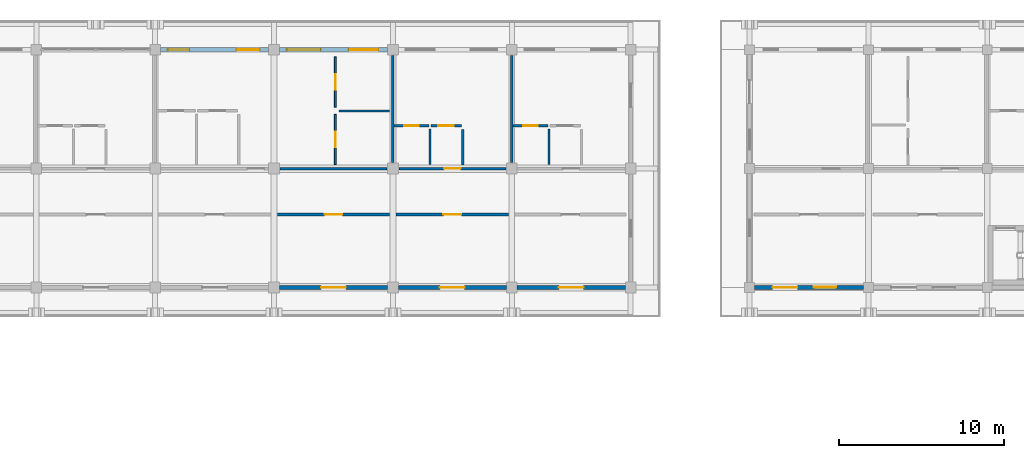
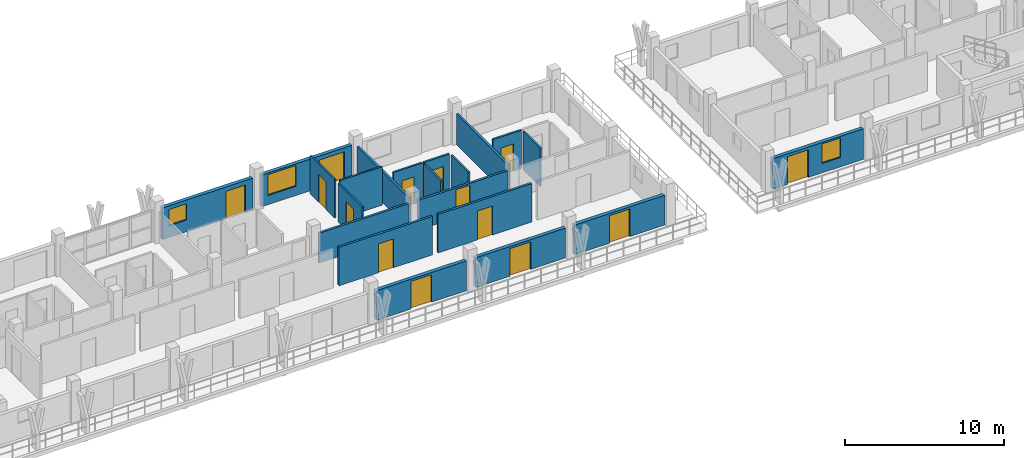
# One storey, part 50 of 78: 21 walls, 14 doors, 3 windows, 17 openings.
"""IFC4 building model written with IfcOpenShell, lengths in metres."""

from ifc_helpers import new_model, si_unit, direction, frame, frame_2d, origin, place, context, subcontext, project, spatial, rectangle, extrude, material, layer, layer_set, type_object, element, fill, save


model = new_model("IFC4")

# Units and contexts
model_context = context("Model", 3, precision=1e-05, world=origin(), true_north=direction((0.0, 1.0)))
body_context = subcontext(model_context, "Body", "Model", "MODEL_VIEW")
ifc_project = project(units=[si_unit("LENGTHUNIT", "METRE"), si_unit("AREAUNIT", "SQUARE_METRE"), si_unit("VOLUMEUNIT", "CUBIC_METRE"), si_unit("PLANEANGLEUNIT", "RADIAN"), si_unit("MASSUNIT", "GRAM", prefix="KILO")], contexts=[model_context])

# Site, building, storey
site_placement = place(None, origin())
site = spatial("IfcSite", under=ifc_project, at=site_placement, CompositionType="ELEMENT")
building_placement = place(site_placement, origin())
building = spatial("IfcBuilding", under=site, at=building_placement, Name="Suanplinth Sawtooth Commons", CompositionType="ELEMENT")
storey_placement = place(building_placement, frame((0.0, 0.0, 15.39990234375)))
storey = spatial("IfcBuildingStorey", under=building, at=storey_placement, Name="L04", CompositionType="ELEMENT", Elevation=15.39990234375)

# Wall, openings, door, window
ifc_material_1 = material(Name="Precast concrete C40/50", Category="concrete")
ifc_layer_1 = layer(ifc_material_1, 0.260009765625, Name="Insulated precast courtyard facade wall 260mm")
ifc_layer_set_1 = layer_set([ifc_layer_1], Name="Precast concrete C40/50")
wall_type_1 = type_object("IfcWallType", Name="W-EX02", PredefinedType="ELEMENTEDWALL", material=ifc_layer_set_1)
wall_1_placement = place(storey_placement, frame((86.72509765625, 122.39990234375, 0.0), z_axis=(0.0, 0.0, 1.0), x_axis=(1.0, 0.0, 0.0)))
wall_1 = element("IfcWall", 1, at=wall_1_placement, inside=storey, type_object=wall_type_1, Name="Facade Wall W-L04-A-N-12", PredefinedType="ELEMENTEDWALL", context=body_context, shape_type="SweptSolid", body=[
    extrude(rectangle(XDim=6.5498046875, YDim=0.260009765625, at=frame_2d((3.27490234375, 0.0))), origin(), (0.0, 0.0, 1.0), 2.43017578125),
])
opening_1_placement = place(wall_1_placement, frame((4.60009765625, 0.0, 0.0)))
opening_1 = element("IfcOpeningElement", 2, at=opening_1_placement, cuts=wall_1, Name="Opening ED0325", PredefinedType="OPENING", context=body_context, shape_type="SweptSolid", body=[
    extrude(rectangle(XDim=1.39990234375, YDim=2.10009765625, at=frame_2d((0.699951171875, 1.050048828125))), frame((0.0, 0.14501953125, 0.0), z_axis=(0.0, -1.0, 0.0), x_axis=(1.0, 0.0, 0.0)), (0.0, 0.0, 1.0), 0.289794921875),
])
opening_2_placement = place(wall_1_placement, frame((0.449951171875, 0.0, 0.89990234375)))
opening_2 = element("IfcOpeningElement", 3, at=opening_2_placement, cuts=wall_1, Name="Opening W0426", PredefinedType="OPENING", context=body_context, shape_type="SweptSolid", body=[
    extrude(rectangle(XDim=1.300048828125, YDim=1.25, at=frame_2d((0.64990234375, 0.625))), frame((0.0, 0.14501953125, 0.0), z_axis=(0.0, -1.0, 0.0), x_axis=(1.0, 0.0, 0.0)), (0.0, 0.0, 1.0), 0.289794921875),
])
ifc_material_2 = material(Name="Anodized aluminium and low-E glass", Category="aluminium")
door_type_1 = type_object("IfcDoorType", Name="SD-07", OperationType="SLIDING_TO_RIGHT", PredefinedType="DOOR", material=ifc_material_2)
door_1_placement = place(opening_1_placement, frame((1.39990234375, 0.0, 0.0), z_axis=(0.0, 0.0, 1.0), x_axis=(-1.0, 0.0, 0.0)))
door_1 = element("IfcDoor", 4, at=door_1_placement, inside=storey, type_object=door_type_1, Name="Balcony Sliding Door L04-A-N-12", OperationType="SLIDING_TO_RIGHT", OverallHeight=2.10009765625, OverallWidth=1.39990234375, PredefinedType="DOOR", context=body_context, shape_type="SweptSolid", body=[
    extrude(rectangle(XDim=1.39990234375, YDim=2.10009765625, at=frame_2d((0.699951171875, 1.050048828125))), frame((0.0, 0.02490234375, 0.0), z_axis=(0.0, -1.0, 0.0), x_axis=(1.0, 0.0, 0.0)), (0.0, 0.0, 1.0), 0.050048828125),
])
fill(opening_1, door_1)
ifc_material_3 = material(Name="Thermally broken aluminium and low-E double glazing", Category="aluminium")
window_type_1 = type_object("IfcWindowType", Name="WN-24", PartitioningType="SINGLE_PANEL", PredefinedType="WINDOW", material=ifc_material_3)
window_1_placement = place(opening_2_placement, origin())
window_1 = element("IfcWindow", 5, at=window_1_placement, inside=storey, type_object=window_type_1, Name="Window L04-A-N-12", OverallHeight=1.25, OverallWidth=1.300048828125, PartitioningType="SINGLE_PANEL", PredefinedType="WINDOW", context=body_context, shape_type="SweptSolid", body=[
    extrude(rectangle(XDim=1.300048828125, YDim=1.25, at=frame_2d((0.64990234375, 0.625))), frame((0.0, 0.030029296875, 0.0), z_axis=(0.0, -1.0, 0.0), x_axis=(1.0, 0.0, 0.0)), (0.0, 0.0, 1.0), 0.06005859375),
])
fill(opening_2, window_1)

wall_2_placement = place(storey_placement, frame((93.925048828125, 122.39990234375, 0.0), z_axis=(0.0, 0.0, 1.0), x_axis=(1.0, 0.0, 0.0)))
wall_2 = element("IfcWall", 6, at=wall_2_placement, inside=storey, type_object=wall_type_1, Name="Facade Wall W-L04-A-N-13", PredefinedType="ELEMENTEDWALL", context=body_context, shape_type="SweptSolid", body=[
    extrude(rectangle(XDim=6.550048828125, YDim=0.260009765625, at=frame_2d((3.27490234375, 0.0))), origin(), (0.0, 0.0, 1.0), 2.43017578125),
])
opening_3_placement = place(wall_2_placement, frame((4.199951171875, 0.0, 0.0)))
opening_3 = element("IfcOpeningElement", 7, at=opening_3_placement, cuts=wall_2, Name="Opening ED0327", PredefinedType="OPENING", context=body_context, shape_type="SweptSolid", body=[
    extrude(rectangle(XDim=1.800048828125, YDim=2.1201171875, at=frame_2d((0.89990234375, 1.06005859375))), frame((0.0, 0.14501953125, 0.0), z_axis=(0.0, -1.0, 0.0), x_axis=(1.0, 0.0, 0.0)), (0.0, 0.0, 1.0), 0.289794921875),
])
opening_4_placement = place(wall_2_placement, frame((0.449951171875, 0.0, 0.7099609375)))
opening_4 = element("IfcOpeningElement", 8, at=opening_4_placement, cuts=wall_2, Name="Opening W0427", PredefinedType="OPENING", context=body_context, shape_type="SweptSolid", body=[
    extrude(rectangle(XDim=2.050048828125, YDim=1.60009765625, at=frame_2d((1.02490234375, 0.800048828125))), frame((0.0, 0.14501953125, 0.0), z_axis=(0.0, -1.0, 0.0), x_axis=(1.0, 0.0, 0.0)), (0.0, 0.0, 1.0), 0.289794921875),
])
door_type_2 = type_object("IfcDoorType", Name="SD-01", OperationType="SLIDING_TO_LEFT", PredefinedType="DOOR", material=ifc_material_2)
door_2_placement = place(opening_3_placement, frame((1.800048828125, 0.0, 0.0), z_axis=(0.0, 0.0, 1.0), x_axis=(-1.0, 0.0, 0.0)))
door_2 = element("IfcDoor", 9, at=door_2_placement, inside=storey, type_object=door_type_2, Name="Balcony Sliding Door L04-A-N-13", OperationType="SLIDING_TO_LEFT", OverallHeight=2.1201171875, OverallWidth=1.800048828125, PredefinedType="DOOR", context=body_context, shape_type="SweptSolid", body=[
    extrude(rectangle(XDim=1.800048828125, YDim=2.1201171875, at=frame_2d((0.89990234375, 1.06005859375))), frame((0.0, 0.02490234375, 0.0), z_axis=(0.0, -1.0, 0.0), x_axis=(1.0, 0.0, 0.0)), (0.0, 0.0, 1.0), 0.050048828125),
])
fill(opening_3, door_2)
window_type_2 = type_object("IfcWindowType", Name="WN-25", PartitioningType="DOUBLE_PANEL_VERTICAL", PredefinedType="WINDOW", material=ifc_material_3)
window_2_placement = place(opening_4_placement, origin())
window_2 = element("IfcWindow", 10, at=window_2_placement, inside=storey, type_object=window_type_2, Name="Window L04-A-N-13", OverallHeight=1.60009765625, OverallWidth=2.050048828125, PartitioningType="DOUBLE_PANEL_VERTICAL", PredefinedType="WINDOW", context=body_context, shape_type="SweptSolid", body=[
    extrude(rectangle(XDim=2.050048828125, YDim=1.60009765625, at=frame_2d((1.02490234375, 0.800048828125))), frame((0.0, 0.030029296875, 0.0), z_axis=(0.0, -1.0, 0.0), x_axis=(1.0, 0.0, 0.0)), (0.0, 0.0, 1.0), 0.06005859375),
])
fill(opening_4, window_2)

# Wall, opening, door
wall_3_placement = place(storey_placement, frame((93.925048828125, 108.0, 0.0), z_axis=(0.0, 0.0, 1.0), x_axis=(1.0, 0.0, 0.0)))
wall_3 = element("IfcWall", 11, at=wall_3_placement, inside=storey, type_object=wall_type_1, Name="Courtyard Wall W-L04-A-S-13", PredefinedType="ELEMENTEDWALL", context=body_context, shape_type="SweptSolid", body=[
    extrude(rectangle(XDim=6.550048828125, YDim=0.260009765625, at=frame_2d((3.27490234375, 0.0))), origin(), (0.0, 0.0, 1.0), 2.28515625),
])
opening_5_placement = place(wall_3_placement, frame((2.52490234375, 0.0, 0.0)))
opening_5 = element("IfcOpeningElement", 12, at=opening_5_placement, cuts=wall_3, Name="Opening ED0328", PredefinedType="OPENING", context=body_context, shape_type="SweptSolid", body=[
    extrude(rectangle(XDim=1.5, YDim=2.1201171875, at=frame_2d((0.75, 1.06005859375))), frame((0.0, 0.14501953125, 0.0), z_axis=(0.0, -1.0, 0.0), x_axis=(1.0, 0.0, 0.0)), (0.0, 0.0, 1.0), 0.289794921875),
])
door_type_3 = type_object("IfcDoorType", Name="SD-03", OperationType="SLIDING_TO_LEFT", PredefinedType="DOOR", material=ifc_material_2)
door_3_placement = place(opening_5_placement, frame((1.5, 0.0, 0.0), z_axis=(0.0, 0.0, 1.0), x_axis=(-1.0, 0.0, 0.0)))
door_3 = element("IfcDoor", 13, at=door_3_placement, inside=storey, type_object=door_type_3, Name="Courtyard Balcony Sliding Door L04-A-S-13", OperationType="SLIDING_TO_LEFT", OverallHeight=2.1201171875, OverallWidth=1.5, PredefinedType="DOOR", context=body_context, shape_type="SweptSolid", body=[
    extrude(rectangle(XDim=1.5, YDim=2.1201171875, at=frame_2d((0.75, 1.06005859375))), frame((0.0, 0.02490234375, 0.0), z_axis=(0.0, -1.0, 0.0), x_axis=(1.0, 0.0, 0.0)), (0.0, 0.0, 1.0), 0.050048828125),
])
fill(opening_5, door_3)

wall_4_placement = place(storey_placement, frame((101.125, 108.0, 0.0), z_axis=(0.0, 0.0, 1.0), x_axis=(1.0, 0.0, 0.0)))
wall_4 = element("IfcWall", 14, at=wall_4_placement, inside=storey, type_object=wall_type_1, Name="Courtyard Wall W-L04-A-S-14", PredefinedType="ELEMENTEDWALL", context=body_context, shape_type="SweptSolid", body=[
    extrude(rectangle(XDim=6.550048828125, YDim=0.260009765625, at=frame_2d((3.27490234375, 0.0))), origin(), (0.0, 0.0, 1.0), 2.28515625),
])
opening_6_placement = place(wall_4_placement, frame((2.52490234375, 0.0, 0.0)))
opening_6 = element("IfcOpeningElement", 15, at=opening_6_placement, cuts=wall_4, Name="Opening ED0330", PredefinedType="OPENING", context=body_context, shape_type="SweptSolid", body=[
    extrude(rectangle(XDim=1.5, YDim=2.1201171875, at=frame_2d((0.75, 1.06005859375))), frame((0.0, 0.14501953125, 0.0), z_axis=(0.0, -1.0, 0.0), x_axis=(1.0, 0.0, 0.0)), (0.0, 0.0, 1.0), 0.289794921875),
])
door_4_placement = place(opening_6_placement, frame((1.5, 0.0, 0.0), z_axis=(0.0, 0.0, 1.0), x_axis=(-1.0, 0.0, 0.0)))
door_4 = element("IfcDoor", 16, at=door_4_placement, inside=storey, type_object=door_type_3, Name="Courtyard Balcony Sliding Door L04-A-S-14", OperationType="SLIDING_TO_LEFT", OverallHeight=2.1201171875, OverallWidth=1.5, PredefinedType="DOOR", context=body_context, shape_type="SweptSolid", body=[
    extrude(rectangle(XDim=1.5, YDim=2.1201171875, at=frame_2d((0.75, 1.06005859375))), frame((0.0, 0.02490234375, 0.0), z_axis=(0.0, -1.0, 0.0), x_axis=(1.0, 0.0, 0.0)), (0.0, 0.0, 1.0), 0.050048828125),
])
fill(opening_6, door_4)

wall_5_placement = place(storey_placement, frame((108.324951171875, 108.0, 0.0), z_axis=(0.0, 0.0, 1.0), x_axis=(1.0, 0.0, 0.0)))
wall_5 = element("IfcWall", 17, at=wall_5_placement, inside=storey, type_object=wall_type_1, Name="Courtyard Wall W-L04-A-S-15", PredefinedType="ELEMENTEDWALL", context=body_context, shape_type="SweptSolid", body=[
    extrude(rectangle(XDim=6.550048828125, YDim=0.260009765625, at=frame_2d((3.27490234375, 0.0))), origin(), (0.0, 0.0, 1.0), 2.28515625),
])
opening_7_placement = place(wall_5_placement, frame((2.52490234375, 0.0, 0.0)))
opening_7 = element("IfcOpeningElement", 18, at=opening_7_placement, cuts=wall_5, Name="Opening ED0332", PredefinedType="OPENING", context=body_context, shape_type="SweptSolid", body=[
    extrude(rectangle(XDim=1.5, YDim=2.1201171875, at=frame_2d((0.75, 1.06005859375))), frame((0.0, 0.14501953125, 0.0), z_axis=(0.0, -1.0, 0.0), x_axis=(1.0, 0.0, 0.0)), (0.0, 0.0, 1.0), 0.289794921875),
])
door_5_placement = place(opening_7_placement, frame((1.5, 0.0, 0.0), z_axis=(0.0, 0.0, 1.0), x_axis=(-1.0, 0.0, 0.0)))
door_5 = element("IfcDoor", 19, at=door_5_placement, inside=storey, type_object=door_type_3, Name="Courtyard Balcony Sliding Door L04-A-S-15", OperationType="SLIDING_TO_LEFT", OverallHeight=2.1201171875, OverallWidth=1.5, PredefinedType="DOOR", context=body_context, shape_type="SweptSolid", body=[
    extrude(rectangle(XDim=1.5, YDim=2.1201171875, at=frame_2d((0.75, 1.06005859375))), frame((0.0, 0.02490234375, 0.0), z_axis=(0.0, -1.0, 0.0), x_axis=(1.0, 0.0, 0.0)), (0.0, 0.0, 1.0), 0.050048828125),
])
fill(opening_7, door_5)

# Wall, openings, door, window
wall_6_placement = place(storey_placement, frame((122.699951171875, 108.0, 0.0), z_axis=(0.0, 0.0, 1.0), x_axis=(1.0, 0.0, 0.0)))
wall_6 = element("IfcWall", 20, at=wall_6_placement, inside=storey, type_object=wall_type_1, Name="Facade Wall W-L04-B-S-17-15", PredefinedType="ELEMENTEDWALL", context=body_context, shape_type="SweptSolid", body=[
    extrude(rectangle(XDim=6.60009765625, YDim=0.260009765625, at=frame_2d((3.300048828125, 0.0))), origin(), (0.0, 0.0, 1.0), 2.335205078125),
])
opening_8_placement = place(wall_6_placement, frame((1.10009765625, 0.0, 0.0)))
opening_8 = element("IfcOpeningElement", 21, at=opening_8_placement, cuts=wall_6, Name="Opening ED0335", PredefinedType="OPENING", context=body_context, shape_type="SweptSolid", body=[
    extrude(rectangle(XDim=1.5, YDim=2.1201171875, at=frame_2d((0.75, 1.06005859375))), frame((0.0, 0.14501953125, 0.0), z_axis=(0.0, -1.0, 0.0), x_axis=(1.0, 0.0, 0.0)), (0.0, 0.0, 1.0), 0.289794921875),
])
opening_9_placement = place(wall_6_placement, frame((3.60009765625, 0.0, 0.72509765625)))
opening_9 = element("IfcOpeningElement", 22, at=opening_9_placement, cuts=wall_6, Name="Opening W0432", PredefinedType="OPENING", context=body_context, shape_type="SweptSolid", body=[
    extrude(rectangle(XDim=1.35009765625, YDim=1.5, at=frame_2d((0.675048828125, 0.75))), frame((0.0, 0.14501953125, 0.0), z_axis=(0.0, -1.0, 0.0), x_axis=(1.0, 0.0, 0.0)), (0.0, 0.0, 1.0), 0.289794921875),
])
door_6_placement = place(opening_8_placement, frame((1.5, 0.0, 0.0), z_axis=(0.0, 0.0, 1.0), x_axis=(-1.0, 0.0, 0.0)))
door_6 = element("IfcDoor", 23, at=door_6_placement, inside=storey, type_object=door_type_3, Name="Courtyard Balcony Door L04-B-17", OperationType="SLIDING_TO_LEFT", OverallHeight=2.1201171875, OverallWidth=1.5, PredefinedType="DOOR", context=body_context, shape_type="SweptSolid", body=[
    extrude(rectangle(XDim=1.5, YDim=2.1201171875, at=frame_2d((0.75, 1.06005859375))), frame((0.0, 0.02490234375, 0.0), z_axis=(0.0, -1.0, 0.0), x_axis=(1.0, 0.0, 0.0)), (0.0, 0.0, 1.0), 0.050048828125),
])
fill(opening_8, door_6)
window_type_3 = type_object("IfcWindowType", Name="WN-14", PartitioningType="SINGLE_PANEL", PredefinedType="WINDOW", material=ifc_material_3)
window_3_placement = place(opening_9_placement, origin())
window_3 = element("IfcWindow", 24, at=window_3_placement, inside=storey, type_object=window_type_3, Name="Courtyard Window L04-B-17", OverallHeight=1.5, OverallWidth=1.35009765625, PartitioningType="SINGLE_PANEL", PredefinedType="WINDOW", context=body_context, shape_type="SweptSolid", body=[
    extrude(rectangle(XDim=1.35009765625, YDim=1.5, at=frame_2d((0.675048828125, 0.75))), frame((0.0, 0.030029296875, 0.0), z_axis=(0.0, -1.0, 0.0), x_axis=(1.0, 0.0, 0.0)), (0.0, 0.0, 1.0), 0.06005859375),
])
fill(opening_9, window_3)

# Wall
ifc_layer_2 = layer(ifc_material_1, 0.159912109375, Name="Fire-rated corridor and lobby wall 160mm")
ifc_layer_set_2 = layer_set([ifc_layer_2], Name="Precast concrete C40/50")
wall_type_2 = type_object("IfcWallType", Name="W-FW01", PredefinedType="PARTITIONING", material=ifc_layer_set_2)
wall_7_placement = place(storey_placement, frame((93.955078125, 115.199951171875, 0.0), z_axis=(0.0, 0.0, 1.0), x_axis=(1.0, 0.0, 0.0)))
element("IfcWall", 25, at=wall_7_placement, inside=storey, type_object=wall_type_2, Name="W-A-L04-U10-COR-S2", PredefinedType="PARTITIONING", context=body_context, shape_type="SweptSolid", body=[
    extrude(rectangle(XDim=6.489990234375, YDim=0.159912109375, at=frame_2d((3.2451171875, 0.0))), origin(), (0.0, 0.0, 1.0), 2.28515625),
])

# Wall, opening, door
wall_8_placement = place(storey_placement, frame((101.155029296875, 115.199951171875, 0.0), z_axis=(0.0, 0.0, 1.0), x_axis=(1.0, 0.0, 0.0)))
wall_8 = element("IfcWall", 26, at=wall_8_placement, inside=storey, type_object=wall_type_2, Name="W-A-L04-U11-COR", PredefinedType="PARTITIONING", context=body_context, shape_type="SweptSolid", body=[
    extrude(rectangle(XDim=6.489990234375, YDim=0.159912109375, at=frame_2d((3.2451171875, 0.0))), origin(), (0.0, 0.0, 1.0), 2.28515625),
])
opening_10_placement = place(wall_8_placement, frame((2.7451171875, 0.0, 0.0)))
opening_10 = element("IfcOpeningElement", 27, at=opening_10_placement, cuts=wall_8, Name="Opening FD1077", PredefinedType="OPENING", context=body_context, shape_type="SweptSolid", body=[
    extrude(rectangle(XDim=1.0, YDim=2.14990234375, at=frame_2d((0.5, 1.074951171875))), frame((0.0, 0.0947265625, 0.0), z_axis=(0.0, -1.0, 0.0), x_axis=(1.0, 0.0, 0.0)), (0.0, 0.0, 1.0), 0.189697265625),
])
ifc_material_4 = material(Name="Teak hardwood fire-rated door assembly", Category="wood")
door_type_4 = type_object("IfcDoorType", Name="FD-03", OperationType="NOTDEFINED", PredefinedType="DOOR", material=ifc_material_4)
door_7_placement = place(opening_10_placement, origin())
door_7 = element("IfcDoor", 28, at=door_7_placement, inside=storey, type_object=door_type_4, Name="Unit Entrance Door FD1077", OperationType="SINGLE_SWING_LEFT", OverallHeight=2.14990234375, OverallWidth=1.0, PredefinedType="DOOR", context=body_context, shape_type="SweptSolid", body=[
    extrude(rectangle(XDim=1.0, YDim=2.14990234375, at=frame_2d((0.5, 1.074951171875))), frame((0.0, 0.02490234375, 0.0), z_axis=(0.0, -1.0, 0.0), x_axis=(1.0, 0.0, 0.0)), (0.0, 0.0, 1.0), 0.050048828125),
])
fill(opening_10, door_7)

wall_9_placement = place(storey_placement, frame((93.800048828125, 112.419921875, 0.0), z_axis=(0.0, 0.0, 1.0), x_axis=(1.0, 0.0, 0.0)))
wall_9 = element("IfcWall", 29, at=wall_9_placement, inside=storey, type_object=wall_type_2, Name="W-A-L04-COURTROOM-21-COR", PredefinedType="PARTITIONING", context=body_context, shape_type="SweptSolid", body=[
    extrude(rectangle(XDim=6.800048828125, YDim=0.159912109375, at=frame_2d((3.39990234375, 0.0))), origin(), (0.0, 0.0, 1.0), 2.9501953125),
])
opening_11_placement = place(wall_9_placement, frame((2.860107421875, 0.0, 0.0)))
opening_11 = element("IfcOpeningElement", 30, at=opening_11_placement, cuts=wall_9, Name="Opening D1092", PredefinedType="OPENING", context=body_context, shape_type="SweptSolid", body=[
    extrude(rectangle(XDim=1.080078125, YDim=2.219970703125, at=frame_2d((0.5400390625, 1.10986328125))), frame((0.0, 0.0947265625, 0.0), z_axis=(0.0, -1.0, 0.0), x_axis=(1.0, 0.0, 0.0)), (0.0, 0.0, 1.0), 0.189697265625),
])
ifc_material_5 = material(Name="Teak hardwood", Category="wood")
door_type_5 = type_object("IfcDoorType", Name="D-17", OperationType="NOTDEFINED", PredefinedType="DOOR", material=ifc_material_5)
door_8_placement = place(opening_11_placement, frame((1.080078125, 0.0, 0.0), z_axis=(0.0, 0.0, 1.0), x_axis=(-1.0, 0.0, 0.0)))
door_8 = element("IfcDoor", 31, at=door_8_placement, inside=storey, type_object=door_type_5, Name="Study Studio Door D1092", OperationType="SINGLE_SWING_RIGHT", OverallHeight=2.219970703125, OverallWidth=1.080078125, PredefinedType="DOOR", context=body_context, shape_type="SweptSolid", body=[
    extrude(rectangle(XDim=1.080078125, YDim=2.219970703125, at=frame_2d((0.5400390625, 1.10986328125))), frame((0.0, 0.02490234375, 0.0), z_axis=(0.0, -1.0, 0.0), x_axis=(1.0, 0.0, 0.0)), (0.0, 0.0, 1.0), 0.050048828125),
])
fill(opening_11, door_8)

wall_10_placement = place(storey_placement, frame((101.0, 112.419921875, 0.0), z_axis=(0.0, 0.0, 1.0), x_axis=(1.0, 0.0, 0.0)))
wall_10 = element("IfcWall", 32, at=wall_10_placement, inside=storey, type_object=wall_type_2, Name="W-A-L04-COURTROOM-22-COR", PredefinedType="PARTITIONING", context=body_context, shape_type="SweptSolid", body=[
    extrude(rectangle(XDim=6.800048828125, YDim=0.159912109375, at=frame_2d((3.39990234375, 0.0))), origin(), (0.0, 0.0, 1.0), 2.9501953125),
])
opening_12_placement = place(wall_10_placement, frame((2.860107421875, 0.0, 0.0)))
opening_12 = element("IfcOpeningElement", 33, at=opening_12_placement, cuts=wall_10, Name="Opening D1093", PredefinedType="OPENING", context=body_context, shape_type="SweptSolid", body=[
    extrude(rectangle(XDim=1.080078125, YDim=2.219970703125, at=frame_2d((0.5400390625, 1.10986328125))), frame((0.0, 0.0947265625, 0.0), z_axis=(0.0, -1.0, 0.0), x_axis=(1.0, 0.0, 0.0)), (0.0, 0.0, 1.0), 0.189697265625),
])
door_9_placement = place(opening_12_placement, frame((1.080078125, 0.0, 0.0), z_axis=(0.0, 0.0, 1.0), x_axis=(-1.0, 0.0, 0.0)))
door_9 = element("IfcDoor", 34, at=door_9_placement, inside=storey, type_object=door_type_5, Name="Study Studio Door D1093", OperationType="SINGLE_SWING_LEFT", OverallHeight=2.219970703125, OverallWidth=1.080078125, PredefinedType="DOOR", context=body_context, shape_type="SweptSolid", body=[
    extrude(rectangle(XDim=1.080078125, YDim=2.219970703125, at=frame_2d((0.5400390625, 1.10986328125))), frame((0.0, 0.02490234375, 0.0), z_axis=(0.0, -1.0, 0.0), x_axis=(1.0, 0.0, 0.0)), (0.0, 0.0, 1.0), 0.050048828125),
])
fill(opening_12, door_9)

# Walls
ifc_layer_3 = layer(ifc_material_1, 0.14990234375, Name="Acoustic precast party demising wall 150mm")
ifc_layer_set_3 = layer_set([ifc_layer_3], Name="Precast concrete C40/50")
wall_type_3 = type_object("IfcWallType", Name="W-FW02", PredefinedType="PARTITIONING", material=ifc_layer_set_3)
for number, where, z_axis, x_axis, name in (
    (35, (100.800048828125, 115.554931640625, 0.0), (0.0, 0.0, 1.0), (0.0, 1.0, 0.0), "W-A-L04-U10-PTY"),
    (36, (108.0, 115.554931640625, 0.0), (0.0, 0.0, 1.0), (0.0, 1.0, 0.0), "W-A-L04-U11-PTY"),
):
    element("IfcWall", number, at=place(storey_placement, frame(where, z_axis=z_axis, x_axis=x_axis)), inside=storey, type_object=wall_type_3, Name=name, PredefinedType="PARTITIONING", context=body_context, shape_type="SweptSolid", body=[
        extrude(rectangle(XDim=6.489990234375, YDim=0.14990234375, at=frame_2d((3.2451171875, 0.0))), origin(), (0.0, 0.0, 1.0), 2.385009765625),
    ])

# Wall, opening, door
ifc_material_6 = material(Name="Gypsum plasterboard on steel stud", Category="steel")
ifc_layer_4 = layer(ifc_material_6, 0.139892578125, Name="Fire-rated kitchen partition 140mm")
ifc_layer_set_4 = layer_set([ifc_layer_4], Name="Gypsum plasterboard on steel stud")
wall_type_4 = type_object("IfcWallType", Name="W-PT01", PredefinedType="PARTITIONING", material=ifc_layer_set_4)
wall_11_placement = place(storey_placement, frame((103.10009765625, 117.800048828125, 0.0), z_axis=(0.0, 0.0, 1.0), x_axis=(1.0, 0.0, 0.0)))
wall_11 = element("IfcWall", 37, at=wall_11_placement, inside=storey, type_object=wall_type_4, Name="W-A-L04-U11-KIT1", PredefinedType="PARTITIONING", context=body_context, shape_type="SweptSolid", body=[
    extrude(rectangle(XDim=1.849853515625, YDim=0.139892578125, at=frame_2d((0.9248046875, 0.0))), origin(), (0.0, 0.0, 1.0), 2.9501953125),
])
opening_13_placement = place(wall_11_placement, frame((0.4599609375, 0.0, 0.0)))
opening_13 = element("IfcOpeningElement", 38, at=opening_13_placement, cuts=wall_11, Name="Opening D1079", PredefinedType="OPENING", context=body_context, shape_type="SweptSolid", body=[
    extrude(rectangle(XDim=0.929931640625, YDim=2.139892578125, at=frame_2d((0.46484375, 1.06982421875))), frame((0.0, 0.0849609375, 0.0), z_axis=(0.0, -1.0, 0.0), x_axis=(1.0, 0.0, 0.0)), (0.0, 0.0, 1.0), 0.169677734375),
])
door_type_6 = type_object("IfcDoorType", Name="D-19", OperationType="NOTDEFINED", PredefinedType="DOOR", material=ifc_material_5)
door_10_placement = place(opening_13_placement, frame((0.929931640625, 0.0, 0.0), z_axis=(0.0, 0.0, 1.0), x_axis=(-1.0, 0.0, 0.0)))
door_10 = element("IfcDoor", 39, at=door_10_placement, inside=storey, type_object=door_type_6, Name="Kitchen Door D1079", OperationType="SINGLE_SWING_LEFT", OverallHeight=2.139892578125, OverallWidth=0.929931640625, PredefinedType="DOOR", context=body_context, shape_type="SweptSolid", body=[
    extrude(rectangle(XDim=0.929931640625, YDim=2.139892578125, at=frame_2d((0.46484375, 1.06982421875))), frame((0.0, 0.02490234375, 0.0), z_axis=(0.0, -1.0, 0.0), x_axis=(1.0, 0.0, 0.0)), (0.0, 0.0, 1.0), 0.050048828125),
])
fill(opening_13, door_10)

# Wall
wall_12_placement = place(storey_placement, frame((105.02001953125, 115.429931640625, 0.0), z_axis=(0.0, 0.0, 1.0), x_axis=(0.0, 1.0, 0.0)))
element("IfcWall", 40, at=wall_12_placement, inside=storey, type_object=wall_type_4, Name="W-A-L04-U11-KIT2", PredefinedType="PARTITIONING", context=body_context, shape_type="SweptSolid", body=[
    extrude(rectangle(XDim=2.150146484375, YDim=0.139892578125, at=frame_2d((1.0751953125, 0.0))), origin(), (0.0, 0.0, 1.0), 2.9501953125),
])

# Wall, opening, door
ifc_layer_5 = layer(ifc_material_6, 0.1298828125, Name="Moisture-resistant bathroom partition 130mm")
ifc_layer_set_5 = layer_set([ifc_layer_5], Name="Gypsum plasterboard on steel stud")
wall_type_5 = type_object("IfcWallType", Name="W-PT02", PredefinedType="PARTITIONING", material=ifc_layer_set_5)
wall_13_placement = place(storey_placement, frame((100.8798828125, 117.794921875, 0.0), z_axis=(0.0, 0.0, 1.0), x_axis=(1.0, 0.0, 0.0)))
wall_13 = element("IfcWall", 41, at=wall_13_placement, inside=storey, type_object=wall_type_5, Name="W-A-L04-U11-BTH1", PredefinedType="PARTITIONING", context=body_context, shape_type="SweptSolid", body=[
    extrude(rectangle(XDim=2.10009765625, YDim=0.1298828125, at=frame_2d((1.050048828125, 0.0))), origin(), (0.0, 0.0, 1.0), 2.9501953125),
])
opening_14_placement = place(wall_13_placement, frame((0.610107421875, 0.0, 0.0)))
opening_14 = element("IfcOpeningElement", 42, at=opening_14_placement, cuts=wall_13, Name="Opening D1078", PredefinedType="OPENING", context=body_context, shape_type="SweptSolid", body=[
    extrude(rectangle(XDim=0.8798828125, YDim=2.10009765625, at=frame_2d((0.43994140625, 1.050048828125))), frame((0.0, 0.079833984375, 0.0), z_axis=(0.0, -1.0, 0.0), x_axis=(1.0, 0.0, 0.0)), (0.0, 0.0, 1.0), 0.15966796875),
])
door_type_7 = type_object("IfcDoorType", Name="D-14", OperationType="NOTDEFINED", PredefinedType="DOOR", material=ifc_material_5)
door_11_placement = place(opening_14_placement, frame((0.8798828125, 0.0, 0.0), z_axis=(0.0, 0.0, 1.0), x_axis=(-1.0, 0.0, 0.0)))
door_11 = element("IfcDoor", 43, at=door_11_placement, inside=storey, type_object=door_type_7, Name="Bathroom Door D1078", OperationType="SINGLE_SWING_RIGHT", OverallHeight=2.10009765625, OverallWidth=0.8798828125, PredefinedType="DOOR", context=body_context, shape_type="SweptSolid", body=[
    extrude(rectangle(XDim=0.8798828125, YDim=2.10009765625, at=frame_2d((0.43994140625, 1.050048828125))), frame((0.0, 0.02490234375, 0.0), z_axis=(0.0, -1.0, 0.0), x_axis=(1.0, 0.0, 0.0)), (0.0, 0.0, 1.0), 0.050048828125),
])
fill(opening_14, door_11)

# Wall
wall_14_placement = place(storey_placement, frame((103.044921875, 115.4599609375, 0.0), z_axis=(0.0, 0.0, 1.0), x_axis=(0.0, 1.0, 0.0)))
element("IfcWall", 44, at=wall_14_placement, inside=storey, type_object=wall_type_5, Name="W-A-L04-U11-BTH2", PredefinedType="PARTITIONING", context=body_context, shape_type="SweptSolid", body=[
    extrude(rectangle(XDim=2.130126953125, YDim=0.1298828125, at=frame_2d((1.06494140625, 0.0))), origin(), (0.0, 0.0, 1.0), 2.9501953125),
])

# Wall, opening, door
wall_15_placement = place(storey_placement, frame((108.080078125, 117.794921875, 0.0), z_axis=(0.0, 0.0, 1.0), x_axis=(1.0, 0.0, 0.0)))
wall_15 = element("IfcWall", 45, at=wall_15_placement, inside=storey, type_object=wall_type_5, Name="W-A-L04-U12-BTH1", PredefinedType="PARTITIONING", context=body_context, shape_type="SweptSolid", body=[
    extrude(rectangle(XDim=2.099853515625, YDim=0.1298828125, at=frame_2d((1.0498046875, 0.0))), origin(), (0.0, 0.0, 1.0), 2.9501953125),
])
opening_15_placement = place(wall_15_placement, frame((0.610107421875, 0.0, 0.0)))
opening_15 = element("IfcOpeningElement", 46, at=opening_15_placement, cuts=wall_15, Name="Opening D1081", PredefinedType="OPENING", context=body_context, shape_type="SweptSolid", body=[
    extrude(rectangle(XDim=0.8798828125, YDim=2.10009765625, at=frame_2d((0.43994140625, 1.050048828125))), frame((0.0, 0.079833984375, 0.0), z_axis=(0.0, -1.0, 0.0), x_axis=(1.0, 0.0, 0.0)), (0.0, 0.0, 1.0), 0.15966796875),
])
door_12_placement = place(opening_15_placement, frame((0.8798828125, 0.0, 0.0), z_axis=(0.0, 0.0, 1.0), x_axis=(-1.0, 0.0, 0.0)))
door_12 = element("IfcDoor", 47, at=door_12_placement, inside=storey, type_object=door_type_7, Name="Bathroom Door D1081", OperationType="SINGLE_SWING_LEFT", OverallHeight=2.10009765625, OverallWidth=0.8798828125, PredefinedType="DOOR", context=body_context, shape_type="SweptSolid", body=[
    extrude(rectangle(XDim=0.8798828125, YDim=2.10009765625, at=frame_2d((0.43994140625, 1.050048828125))), frame((0.0, 0.02490234375, 0.0), z_axis=(0.0, -1.0, 0.0), x_axis=(1.0, 0.0, 0.0)), (0.0, 0.0, 1.0), 0.050048828125),
])
fill(opening_15, door_12)

# Wall
wall_16_placement = place(storey_placement, frame((110.2451171875, 115.4599609375, 0.0), z_axis=(0.0, 0.0, 1.0), x_axis=(0.0, 1.0, 0.0)))
element("IfcWall", 48, at=wall_16_placement, inside=storey, type_object=wall_type_5, Name="W-A-L04-U12-BTH2", PredefinedType="PARTITIONING", context=body_context, shape_type="SweptSolid", body=[
    extrude(rectangle(XDim=2.130126953125, YDim=0.1298828125, at=frame_2d((1.06494140625, 0.0))), origin(), (0.0, 0.0, 1.0), 2.9501953125),
])

# Wall, opening, door
ifc_layer_6 = layer(ifc_material_6, 0.1201171875, Name="Acoustic bedroom partition 120mm")
ifc_layer_set_6 = layer_set([ifc_layer_6], Name="Gypsum plasterboard on steel stud")
wall_type_6 = type_object("IfcWallType", Name="W-PT03", PredefinedType="PARTITIONING", material=ifc_layer_set_6)
wall_17_placement = place(storey_placement, frame((97.320068359375, 118.919921875, 0.0), z_axis=(0.0, 0.0, 1.0), x_axis=(0.0, 1.0, 0.0)))
wall_17 = element("IfcWall", 49, at=wall_17_placement, inside=storey, type_object=wall_type_6, Name="W-A-L04-U10-BED1", PredefinedType="PARTITIONING", context=body_context, shape_type="SweptSolid", body=[
    extrude(rectangle(XDim=3.0400390625, YDim=0.1201171875, at=frame_2d((1.52001953125, 0.0))), origin(), (0.0, 0.0, 1.0), 2.9501953125),
])
opening_16_placement = place(wall_17_placement, frame((1.044921875, 0.0, 0.0)))
opening_16 = element("IfcOpeningElement", 50, at=opening_16_placement, cuts=wall_17, Name="Opening D1075", PredefinedType="OPENING", context=body_context, shape_type="SweptSolid", body=[
    extrude(rectangle(XDim=0.949951171875, YDim=2.14990234375, at=frame_2d((0.47509765625, 1.074951171875))), frame((0.0, 0.074951171875, 0.0), z_axis=(0.0, -1.0, 0.0), x_axis=(1.0, 0.0, 0.0)), (0.0, 0.0, 1.0), 0.14990234375),
])
door_type_8 = type_object("IfcDoorType", Name="D-03", OperationType="NOTDEFINED", PredefinedType="DOOR", material=ifc_material_5)
door_13_placement = place(opening_16_placement, frame((0.949951171875, 0.0, 0.0), z_axis=(0.0, 0.0, 1.0), x_axis=(-1.0, 0.0, 0.0)))
door_13 = element("IfcDoor", 51, at=door_13_placement, inside=storey, type_object=door_type_8, Name="Bedroom Door D1075", OperationType="SINGLE_SWING_LEFT", OverallHeight=2.14990234375, OverallWidth=0.949951171875, PredefinedType="DOOR", context=body_context, shape_type="SweptSolid", body=[
    extrude(rectangle(XDim=0.949951171875, YDim=2.14990234375, at=frame_2d((0.47509765625, 1.074951171875))), frame((0.0, 0.02490234375, 0.0), z_axis=(0.0, -1.0, 0.0), x_axis=(1.0, 0.0, 0.0)), (0.0, 0.0, 1.0), 0.050048828125),
])
fill(opening_16, door_13)

wall_18_placement = place(storey_placement, frame((97.320068359375, 115.43994140625, 0.0), z_axis=(0.0, 0.0, 1.0), x_axis=(0.0, 1.0, 0.0)))
wall_18 = element("IfcWall", 52, at=wall_18_placement, inside=storey, type_object=wall_type_6, Name="W-A-L04-U10-BED2", PredefinedType="PARTITIONING", context=body_context, shape_type="SweptSolid", body=[
    extrude(rectangle(XDim=3.0400390625, YDim=0.1201171875, at=frame_2d((1.52001953125, 0.0))), origin(), (0.0, 0.0, 1.0), 2.9501953125),
])
opening_17_placement = place(wall_18_placement, frame((1.0400390625, 0.0, 0.0)))
opening_17 = element("IfcOpeningElement", 53, at=opening_17_placement, cuts=wall_18, Name="Opening D1076", PredefinedType="OPENING", context=body_context, shape_type="SweptSolid", body=[
    extrude(rectangle(XDim=0.9599609375, YDim=2.14990234375, at=frame_2d((0.47998046875, 1.074951171875))), frame((0.0, 0.074951171875, 0.0), z_axis=(0.0, -1.0, 0.0), x_axis=(1.0, 0.0, 0.0)), (0.0, 0.0, 1.0), 0.14990234375),
])
door_type_9 = type_object("IfcDoorType", Name="D-13", OperationType="NOTDEFINED", PredefinedType="DOOR", material=ifc_material_5)
door_14_placement = place(opening_17_placement, frame((0.9599609375, 0.0, 0.0), z_axis=(0.0, 0.0, 1.0), x_axis=(-1.0, 0.0, 0.0)))
door_14 = element("IfcDoor", 54, at=door_14_placement, inside=storey, type_object=door_type_9, Name="Second Bedroom Door D1076", OperationType="SINGLE_SWING_RIGHT", OverallHeight=2.14990234375, OverallWidth=0.9599609375, PredefinedType="DOOR", context=body_context, shape_type="SweptSolid", body=[
    extrude(rectangle(XDim=0.9599609375, YDim=2.14990234375, at=frame_2d((0.47998046875, 1.074951171875))), frame((0.0, 0.02490234375, 0.0), z_axis=(0.0, -1.0, 0.0), x_axis=(1.0, 0.0, 0.0)), (0.0, 0.0, 1.0), 0.050048828125),
])
fill(opening_17, door_14)

# Wall
ifc_layer_7 = layer(ifc_material_6, 0.125, Name="Acoustic study partition 125mm")
ifc_layer_set_7 = layer_set([ifc_layer_7], Name="Gypsum plasterboard on steel stud")
wall_type_7 = type_object("IfcWallType", Name="W-PT06", PredefinedType="PARTITIONING", material=ifc_layer_set_7)
wall_19_placement = place(storey_placement, frame((97.52001953125, 118.699951171875, 0.0), z_axis=(0.0, 0.0, 1.0), x_axis=(1.0, 0.0, 0.0)))
element("IfcWall", 55, at=wall_19_placement, inside=storey, type_object=wall_type_7, Name="W-A-L04-U10-BEDDIV", PredefinedType="PARTITIONING", context=body_context, shape_type="SweptSolid", body=[
    extrude(rectangle(XDim=3.06005859375, YDim=0.125, at=frame_2d((1.530029296875, 0.0))), origin(), (0.0, 0.0, 1.0), 2.9501953125),
])

save(model, "model.ifc")
